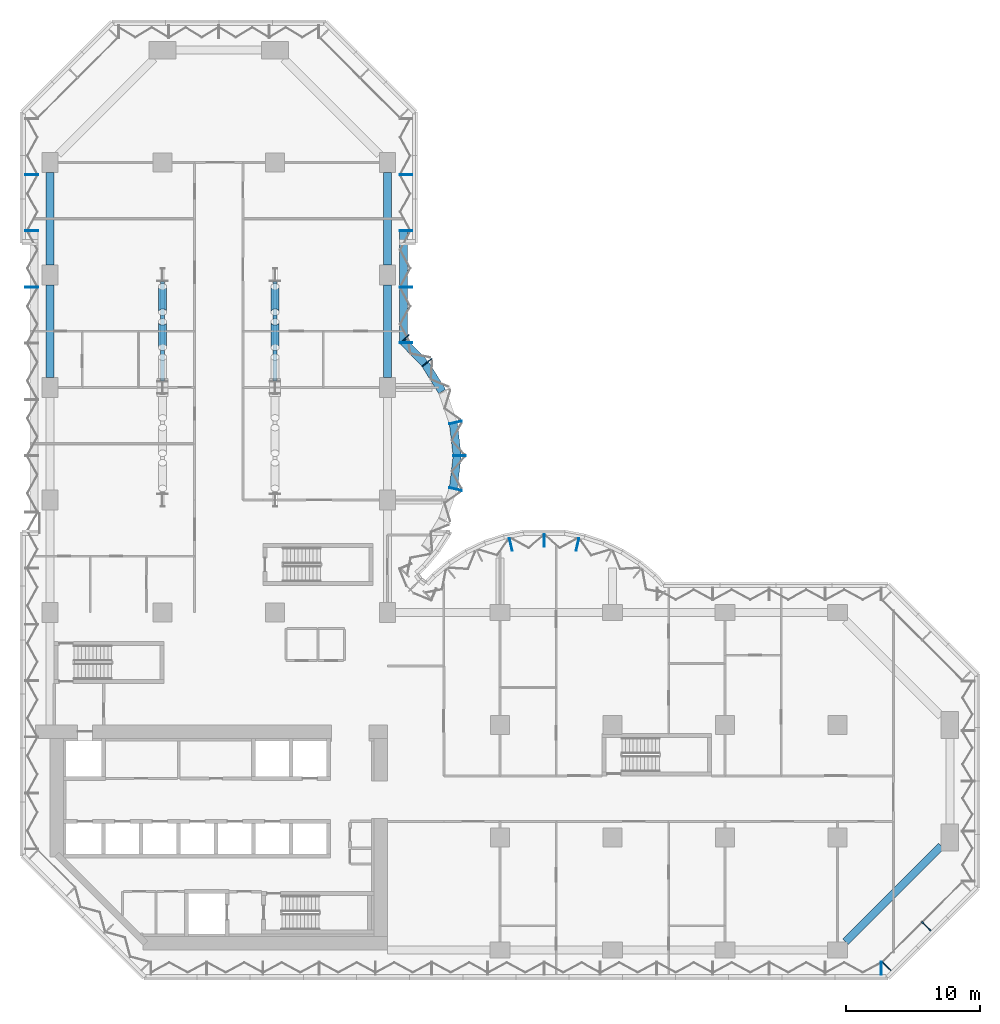
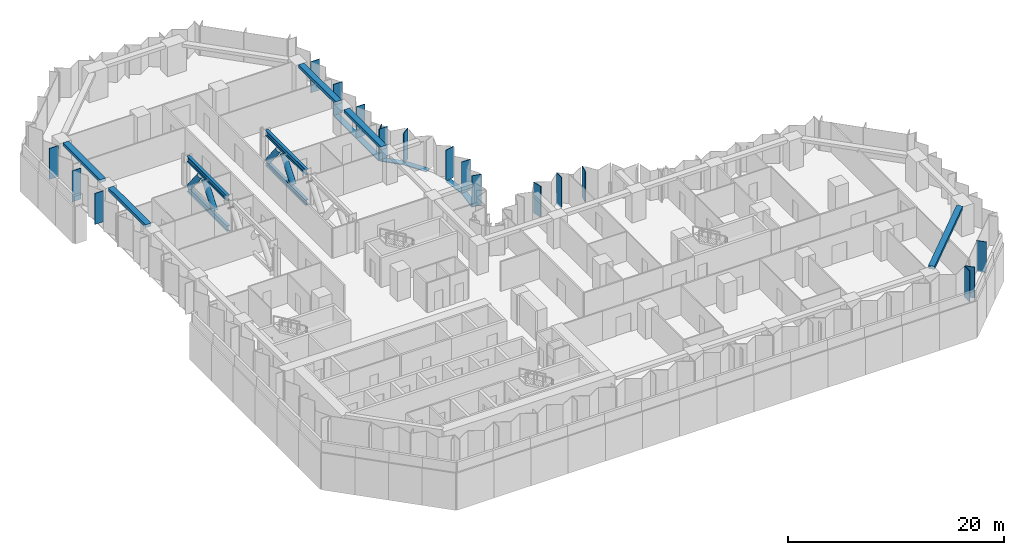
# One storey, part 4 of 24: 31 members, 5 beams, 6 elements without a shape of their own.
"""IFC4 building model written with IfcOpenShell, lengths in metres."""

from ifc_helpers import new_model, si_unit, direction, frame, origin, origin_2d, place, context, subcontext, project, spatial, rectangle, hollow_circle, i_section, extrude, material, material_profile, profile_set, type_object, element, aggregate, save


model = new_model("IFC4")

# Units and contexts
model_context = context("Model", 3, precision=1e-05, world=origin(), true_north=direction((0.0, 1.0)))
body_context = subcontext(model_context, "Body", "Model", "MODEL_VIEW")
ifc_project = project(units=[si_unit("LENGTHUNIT", "METRE"), si_unit("AREAUNIT", "SQUARE_METRE"), si_unit("VOLUMEUNIT", "CUBIC_METRE"), si_unit("PLANEANGLEUNIT", "RADIAN"), si_unit("MASSUNIT", "GRAM", prefix="KILO")], contexts=[model_context])

# Site, building, storey
site_placement = place(None, origin())
site = spatial("IfcSite", under=ifc_project, at=site_placement, CompositionType="ELEMENT")
building_placement = place(site_placement, origin())
building = spatial("IfcBuilding", under=site, at=building_placement, Name="Brevane Broadcast Tower", CompositionType="ELEMENT")
storey_placement = place(building_placement, frame((0.0, 0.0, 36.5)))
storey = spatial("IfcBuildingStorey", under=building, at=storey_placement, Name="L06", CompositionType="ELEMENT", Elevation=36.5)

# Curtain wall, member
ifc_material_1 = material(Name="Aluminium 6063-T6 bronze anodised", Category="aluminium")
curtain_wall_type = type_object("IfcCurtainWallType", Name="CW-1 curtain wall", PredefinedType="NOTDEFINED", material=ifc_material_1)
curtain_wall_1_placement = place(storey_placement, origin())
curtain_wall_1 = element("IfcCurtainWall", 1, at=curtain_wall_1_placement, inside=storey, type_object=curtain_wall_type, Name="CW-1 typical tilted unit L06 south face", PredefinedType="NOTDEFINED")
ifc_material_profile_1 = material_profile(ifc_material_1, rectangle(XDim=0.949951171875, YDim=0.070068359375, at=origin_2d()), Name="RECT 70x950")
ifc_profile_set_1 = profile_set([ifc_material_profile_1], Name="Aluminium 6063-T6 bronze anodised")
member_type_1 = type_object("IfcMemberType", Name="CW-1 mullion 70x950", PredefinedType="MULLION", material=ifc_profile_set_1)
member_1_placement = place(storey_placement, frame((62.06494140625, -1.375, -0.14990234375), z_axis=(0.0, 0.0, 1.0), x_axis=(0.0, 1.0, 0.0)))
member_1 = element("IfcMember", 2, at=member_1_placement, type_object=member_type_1, Name="CW-1 mullion", PredefinedType="MULLION", context=body_context, shape_type="SweptSolid", body=[
    extrude(rectangle(XDim=0.949951171875, YDim=0.070068359375, at=origin_2d()), origin(), (0.0, 0.0, 1.0), 3.5),
])
aggregate(curtain_wall_1, [member_1])

# Curtain wall, members
curtain_wall_2_placement = place(storey_placement, origin())
curtain_wall_2 = element("IfcCurtainWall", 3, at=curtain_wall_2_placement, inside=storey, type_object=curtain_wall_type, Name="CW-1 typical tilted unit L06 south-east chamfer", PredefinedType="NOTDEFINED")
member_2_placement = place(storey_placement, frame((62.460693359375, -1.211181640625, -0.14990234375), z_axis=(0.0, 0.0, 1.0), x_axis=(-0.707106781187, 0.707106781187, 0.0)))
member_2 = element("IfcMember", 4, at=member_2_placement, type_object=member_type_1, Name="CW-1 mullion", PredefinedType="MULLION", context=body_context, shape_type="SweptSolid", body=[
    extrude(rectangle(XDim=0.949951171875, YDim=0.070068359375, at=origin_2d()), origin(), (0.0, 0.0, 1.0), 3.5),
])
member_3_placement = place(storey_placement, frame((65.435791015625, 1.76416015625, -0.14990234375), z_axis=(0.0, 0.0, 1.0), x_axis=(-0.707106781187, 0.707106781187, 0.0)))
member_3 = element("IfcMember", 5, at=member_3_placement, type_object=member_type_1, Name="CW-1 mullion", PredefinedType="MULLION", context=body_context, shape_type="SweptSolid", body=[
    extrude(rectangle(XDim=0.949951171875, YDim=0.070068359375, at=origin_2d()), origin(), (0.0, 0.0, 1.0), 3.5),
])
aggregate(curtain_wall_2, [member_2, member_3])

curtain_wall_3_placement = place(storey_placement, origin())
curtain_wall_3 = element("IfcCurtainWall", 6, at=curtain_wall_3_placement, inside=storey, type_object=curtain_wall_type, Name="CW-1 typical tilted unit L06 east bow", PredefinedType="NOTDEFINED")
member_4_placement = place(storey_placement, frame((39.38818359375, 30.28076171875, -0.14990234375), z_axis=(0.0, 0.0, 1.0), x_axis=(-0.224806482215, -0.974403430594, 0.0)))
member_4 = element("IfcMember", 7, at=member_4_placement, type_object=member_type_1, Name="CW-1 mullion", PredefinedType="MULLION", context=body_context, shape_type="SweptSolid", body=[
    extrude(rectangle(XDim=0.949951171875, YDim=0.070068359375, at=origin_2d()), origin(), (0.0, 0.0, 1.0), 3.5),
])
member_5_placement = place(storey_placement, frame((36.89990234375, 30.574951171875, -0.14990234375), z_axis=(0.0, 0.0, 1.0), x_axis=(0.0, -1.0, 0.0)))
member_5 = element("IfcMember", 8, at=member_5_placement, type_object=member_type_1, Name="CW-1 mullion", PredefinedType="MULLION", context=body_context, shape_type="SweptSolid", body=[
    extrude(rectangle(XDim=0.949951171875, YDim=0.070068359375, at=origin_2d()), origin(), (0.0, 0.0, 1.0), 3.5),
])
member_6_placement = place(storey_placement, frame((34.411865234375, 30.28076171875, -0.14990234375), z_axis=(0.0, 0.0, 1.0), x_axis=(0.224806482215, -0.974403430594, 0.0)))
member_6 = element("IfcMember", 9, at=member_6_placement, type_object=member_type_1, Name="CW-1 mullion", PredefinedType="MULLION", context=body_context, shape_type="SweptSolid", body=[
    extrude(rectangle(XDim=0.949951171875, YDim=0.070068359375, at=origin_2d()), origin(), (0.0, 0.0, 1.0), 3.5),
])
aggregate(curtain_wall_3, [member_4, member_5, member_6])

curtain_wall_4_placement = place(storey_placement, origin())
curtain_wall_4 = element("IfcCurtainWall", 10, at=curtain_wall_4_placement, inside=storey, type_object=curtain_wall_type, Name="CW-1 typical tilted unit L06 north bow", PredefinedType="NOTDEFINED")
member_7_placement = place(storey_placement, frame((30.28076171875, 34.411865234375, -0.14990234375), z_axis=(0.0, 0.0, 1.0), x_axis=(-0.974403430594, 0.224806482215, 0.0)))
member_7 = element("IfcMember", 11, at=member_7_placement, type_object=member_type_1, Name="CW-1 mullion", PredefinedType="MULLION", context=body_context, shape_type="SweptSolid", body=[
    extrude(rectangle(XDim=0.949951171875, YDim=0.070068359375, at=origin_2d()), origin(), (0.0, 0.0, 1.0), 3.5),
])
member_8_placement = place(storey_placement, frame((30.574951171875, 36.89990234375, -0.14990234375), z_axis=(0.0, 0.0, 1.0), x_axis=(-1.0, 0.0, 0.0)))
member_8 = element("IfcMember", 12, at=member_8_placement, type_object=member_type_1, Name="CW-1 mullion", PredefinedType="MULLION", context=body_context, shape_type="SweptSolid", body=[
    extrude(rectangle(XDim=0.949951171875, YDim=0.070068359375, at=origin_2d()), origin(), (0.0, 0.0, 1.0), 3.5),
])
member_9_placement = place(storey_placement, frame((30.28076171875, 39.38818359375, -0.14990234375), z_axis=(0.0, 0.0, 1.0), x_axis=(-0.974403430594, -0.224806482215, 0.0)))
member_9 = element("IfcMember", 13, at=member_9_placement, type_object=member_type_1, Name="CW-1 mullion", PredefinedType="MULLION", context=body_context, shape_type="SweptSolid", body=[
    extrude(rectangle(XDim=0.949951171875, YDim=0.070068359375, at=origin_2d()), origin(), (0.0, 0.0, 1.0), 3.5),
])
member_10_placement = place(storey_placement, frame((28.1455078125, 43.8720703125, -0.14990234375), z_axis=(0.0, 0.0, 1.0), x_axis=(-0.788706642853, -0.614769738617, 0.0)))
member_10 = element("IfcMember", 14, at=member_10_placement, type_object=member_type_1, Name="CW-1 mullion", PredefinedType="MULLION", context=body_context, shape_type="SweptSolid", body=[
    extrude(rectangle(XDim=0.949951171875, YDim=0.070068359375, at=origin_2d()), origin(), (0.0, 0.0, 1.0), 3.5),
])
member_11_placement = place(storey_placement, frame((26.465087890625, 45.60595703125, -0.14990234375), z_axis=(0.0, 0.0, 1.0), x_axis=(-0.717253872699, -0.696811941702, 0.0)))
member_11 = element("IfcMember", 15, at=member_11_placement, type_object=member_type_1, Name="CW-1 mullion", PredefinedType="MULLION", context=body_context, shape_type="SweptSolid", body=[
    extrude(rectangle(XDim=0.949951171875, YDim=0.070068359375, at=origin_2d()), origin(), (0.0, 0.0, 1.0), 3.5),
])

curtain_wall_5_placement = place(storey_placement, origin())
curtain_wall_5 = element("IfcCurtainWall", 16, at=curtain_wall_5_placement, inside=storey, type_object=curtain_wall_type, Name="CW-1 typical tilted unit L06 north arm east face", PredefinedType="NOTDEFINED")
member_12_placement = place(storey_placement, frame((26.574951171875, 45.3349609375, -0.14990234375), z_axis=(0.0, 0.0, 1.0), x_axis=(-1.0, 0.0, 0.0)))
member_12 = element("IfcMember", 17, at=member_12_placement, type_object=member_type_1, Name="CW-1 mullion", PredefinedType="MULLION", context=body_context, shape_type="SweptSolid", body=[
    extrude(rectangle(XDim=0.949951171875, YDim=0.070068359375, at=origin_2d()), origin(), (0.0, 0.0, 1.0), 3.5),
])
member_13_placement = place(storey_placement, frame((26.574951171875, 49.5, -0.14990234375), z_axis=(0.0, 0.0, 1.0), x_axis=(-1.0, 0.0, 0.0)))
member_13 = element("IfcMember", 18, at=member_13_placement, type_object=member_type_1, Name="CW-1 mullion", PredefinedType="MULLION", context=body_context, shape_type="SweptSolid", body=[
    extrude(rectangle(XDim=0.949951171875, YDim=0.070068359375, at=origin_2d()), origin(), (0.0, 0.0, 1.0), 3.5),
])
member_14_placement = place(storey_placement, frame((26.574951171875, 53.699951171875, -0.14990234375), z_axis=(0.0, 0.0, 1.0), x_axis=(-1.0, 0.0, 0.0)))
member_14 = element("IfcMember", 19, at=member_14_placement, type_object=member_type_1, Name="CW-1 mullion", PredefinedType="MULLION", context=body_context, shape_type="SweptSolid", body=[
    extrude(rectangle(XDim=0.949951171875, YDim=0.070068359375, at=origin_2d()), origin(), (0.0, 0.0, 1.0), 3.5),
])
member_15_placement = place(storey_placement, frame((26.574951171875, 57.89990234375, -0.14990234375), z_axis=(0.0, 0.0, 1.0), x_axis=(-1.0, 0.0, 0.0)))
member_15 = element("IfcMember", 20, at=member_15_placement, type_object=member_type_1, Name="CW-1 mullion", PredefinedType="MULLION", context=body_context, shape_type="SweptSolid", body=[
    extrude(rectangle(XDim=0.949951171875, YDim=0.070068359375, at=origin_2d()), origin(), (0.0, 0.0, 1.0), 3.5),
])

curtain_wall_6_placement = place(storey_placement, origin())
curtain_wall_6 = element("IfcCurtainWall", 21, at=curtain_wall_6_placement, inside=storey, type_object=curtain_wall_type, Name="CW-1 typical tilted unit L06 west face", PredefinedType="NOTDEFINED")
member_16_placement = place(storey_placement, frame((-1.375, 57.89990234375, -0.14990234375), z_axis=(0.0, 0.0, 1.0), x_axis=(1.0, 0.0, 0.0)))
member_16 = element("IfcMember", 22, at=member_16_placement, type_object=member_type_1, Name="CW-1 mullion", PredefinedType="MULLION", context=body_context, shape_type="SweptSolid", body=[
    extrude(rectangle(XDim=0.949951171875, YDim=0.070068359375, at=origin_2d()), origin(), (0.0, 0.0, 1.0), 3.5),
])
member_17_placement = place(storey_placement, frame((-1.375, 53.699951171875, -0.14990234375), z_axis=(0.0, 0.0, 1.0), x_axis=(1.0, 0.0, 0.0)))
member_17 = element("IfcMember", 23, at=member_17_placement, type_object=member_type_1, Name="CW-1 mullion", PredefinedType="MULLION", context=body_context, shape_type="SweptSolid", body=[
    extrude(rectangle(XDim=0.949951171875, YDim=0.070068359375, at=origin_2d()), origin(), (0.0, 0.0, 1.0), 3.5),
])
member_18_placement = place(storey_placement, frame((-1.375, 49.5, -0.14990234375), z_axis=(0.0, 0.0, 1.0), x_axis=(1.0, 0.0, 0.0)))
member_18 = element("IfcMember", 24, at=member_18_placement, type_object=member_type_1, Name="CW-1 mullion", PredefinedType="MULLION", context=body_context, shape_type="SweptSolid", body=[
    extrude(rectangle(XDim=0.949951171875, YDim=0.070068359375, at=origin_2d()), origin(), (0.0, 0.0, 1.0), 3.5),
])
aggregate(curtain_wall_6, [member_16, member_17, member_18])

# Member
ifc_material_profile_2 = material_profile(ifc_material_1, rectangle(XDim=0.60009765625, YDim=0.10009765625, at=origin_2d()), Name="RECT 100x600")
ifc_profile_set_2 = profile_set([ifc_material_profile_2], Name="Aluminium 6063-T6 bronze anodised")
member_type_2 = type_object("IfcMemberType", Name="CW-1 transom 100x600", PredefinedType="USERDEFINED", material=ifc_profile_set_2)
member_19_placement = place(storey_placement, frame((30.117431640625, 34.499755859375, -0.199951171875), z_axis=(0.117603307202, 0.993060653805, 0.0), x_axis=(-0.993060653805, 0.117603307202, 0.0)))
member_19 = element("IfcMember", 25, at=member_19_placement, type_object=member_type_2, Name="CW-1 transom", ObjectType="TRANSOM", PredefinedType="USERDEFINED", context=body_context, shape_type="SweptSolid", body=[
    extrude(rectangle(XDim=0.60009765625, YDim=0.10009765625, at=origin_2d()), origin(), (0.0, 0.0, 1.0), 2.397705078125),
])

member_20_placement = place(storey_placement, frame((30.3994140625, 36.9189453125, -0.199951171875), z_axis=(-0.117591417, 0.993062061831, 0.0), x_axis=(-0.993062061831, -0.117591417, 0.0)))
member_20 = element("IfcMember", 26, at=member_20_placement, type_object=member_type_2, Name="CW-1 transom", ObjectType="TRANSOM", PredefinedType="USERDEFINED", context=body_context, shape_type="SweptSolid", body=[
    extrude(rectangle(XDim=0.60009765625, YDim=0.10009765625, at=origin_2d()), origin(), (0.0, 0.0, 1.0), 2.39794921875),
])

member_21_placement = place(storey_placement, frame((29.281494140625, 41.704833984375, -0.199951171875), z_axis=(-0.525473345162, 0.850810063131, 0.0), x_axis=(-0.850810063131, -0.525473345162, 0.0)))
member_21 = element("IfcMember", 27, at=member_21_placement, type_object=member_type_2, Name="CW-1 transom", ObjectType="TRANSOM", PredefinedType="USERDEFINED", context=body_context, shape_type="SweptSolid", body=[
    extrude(rectangle(XDim=0.60009765625, YDim=0.10009765625, at=origin_2d()), origin(), (0.0, 0.0, 1.0), 2.39453125),
])

member_22_placement = place(storey_placement, frame((27.974365234375, 43.800537109375, -0.199951171875), z_axis=(-0.696823999134, 0.71724215871, 0.0), x_axis=(-0.71724215871, -0.696823999134, 0.0)))
member_22 = element("IfcMember", 28, at=member_22_placement, type_object=member_type_2, Name="CW-1 transom", ObjectType="TRANSOM", PredefinedType="USERDEFINED", context=body_context, shape_type="SweptSolid", body=[
    extrude(rectangle(XDim=0.60009765625, YDim=0.10009765625, at=origin_2d()), origin(), (0.0, 0.0, 1.0), 2.247802734375),
])

aggregate(curtain_wall_4, [member_7, member_8, member_9, member_10, member_11, member_19, member_20, member_21, member_22])

member_23_placement = place(storey_placement, frame((26.39990234375, 45.300048828125, -0.199951171875), z_axis=(0.0, 1.0, 0.0), x_axis=(-1.0, 0.0, 0.0)))
member_23 = element("IfcMember", 29, at=member_23_placement, type_object=member_type_2, Name="CW-1 transom", ObjectType="TRANSOM", PredefinedType="USERDEFINED", context=body_context, shape_type="SweptSolid", body=[
    extrude(rectangle(XDim=0.60009765625, YDim=0.10009765625, at=origin_2d()), origin(), (0.0, 0.0, 1.0), 8.39990234375),
])

aggregate(curtain_wall_5, [member_12, member_13, member_14, member_15, member_23])

# Beams
ifc_material_2 = material(Name="Concrete C40/50", Category="concrete")
ifc_material_profile_3 = material_profile(ifc_material_2, rectangle(XDim=0.60009765625, YDim=0.35009765625, at=origin_2d()), Name="RC 600x350")
ifc_profile_set_3 = profile_set([ifc_material_profile_3], Name="Concrete C40/50")
beam_type = type_object("IfcBeamType", Name="RC SPANDREL BEAM 600x350 C40/50", PredefinedType="SPANDREL", material=ifc_profile_set_3)
beam_1_placement = place(storey_placement, frame((59.39990234375, 0.60009765625, 3.175048828125), z_axis=(0.707118853314, 0.707094708853, 0.0), x_axis=(-0.707094708853, 0.707118853314, 0.0)))
element("IfcBeam", 30, at=beam_1_placement, inside=storey, type_object=beam_type, Name="EB1 L06-5", PredefinedType="SPANDREL", context=body_context, shape_type="SweptSolid", body=[
    extrude(rectangle(XDim=0.60009765625, YDim=0.35009765625, at=origin_2d()), origin(), (0.0, 0.0, 1.0), 10.111572265625),
])
beam_2_placement = place(storey_placement, frame((25.199951171875, 42.75, 3.175048828125), z_axis=(0.0, 1.0, 0.0), x_axis=(-1.0, 0.0, 0.0)))
element("IfcBeam", 31, at=beam_2_placement, inside=storey, type_object=beam_type, Name="EB1 L06-14", PredefinedType="SPANDREL", context=body_context, shape_type="SweptSolid", body=[
    extrude(rectangle(XDim=0.60009765625, YDim=0.35009765625, at=origin_2d()), origin(), (0.0, 0.0, 1.0), 6.89990234375),
])
for number, where, z_axis, x_axis, name in (
    (32, (25.199951171875, 51.14990234375, 3.175048828125), (0.0, 1.0, 0.0), (-1.0, 0.0, 0.0), "EB1 L06-15"),
    (33, (0.0, 58.050048828125, 3.175048828125), (0.0, -1.0, 0.0), (1.0, 0.0, 0.0), "EB1 L06-19"),
):
    element("IfcBeam", number, at=place(storey_placement, frame(where, z_axis=z_axis, x_axis=x_axis)), inside=storey, type_object=beam_type, Name=name, PredefinedType="SPANDREL", context=body_context, shape_type="SweptSolid", body=[
        extrude(rectangle(XDim=0.60009765625, YDim=0.35009765625, at=origin_2d()), origin(), (0.0, 0.0, 1.0), 6.900146484375),
    ])
beam_3_placement = place(storey_placement, frame((0.0, 49.64990234375, 3.175048828125), z_axis=(0.0, -1.0, 0.0), x_axis=(1.0, 0.0, 0.0)))
element("IfcBeam", 34, at=beam_3_placement, inside=storey, type_object=beam_type, Name="EB1 L06-20", PredefinedType="SPANDREL", context=body_context, shape_type="SweptSolid", body=[
    extrude(rectangle(XDim=0.60009765625, YDim=0.35009765625, at=origin_2d()), origin(), (0.0, 0.0, 1.0), 6.89990234375),
])

# Members
ifc_material_3 = material(Name="Steel S355", Category="steel")
ifc_material_profile_4 = material_profile(ifc_material_3, i_section(OverallWidth=0.304931640625, OverallDepth=0.6201171875, WebThickness=0.02099609375, FlangeThickness=0.0400390625, FilletRadius=0.027099609375, at=origin_2d()), Name="HE 600 M")
ifc_profile_set_4 = profile_set([ifc_material_profile_4], Name="Steel S355")
member_type_3 = type_object("IfcMemberType", Name="STEEL TRUSS CHORD HE 600 M S355", PredefinedType="CHORD", material=ifc_profile_set_4)
for number, where, z_axis, x_axis, name in (
    (35, (8.39990234375, 42.47412109375, 0.06005859375), (0.0, 1.0, 0.0), (-1.0, 0.0, 0.0), "TC1 1B2"),
    (36, (8.39990234375, 42.47412109375, 3.47509765625), (0.0, 1.0, 0.0), (-1.0, 0.0, 0.0), "TC1 1M2"),
    (37, (16.800048828125, 42.47412109375, 0.06005859375), (0.0, 1.0, 0.0), (-1.0, 0.0, 0.0), "TC1 2B2"),
    (38, (16.800048828125, 42.47412109375, 3.47509765625), (0.0, 1.0, 0.0), (-1.0, 0.0, 0.0), "TC1 2M2"),
):
    element("IfcMember", number, at=place(storey_placement, frame(where, z_axis=z_axis, x_axis=x_axis)), inside=storey, type_object=member_type_3, Name=name, PredefinedType="CHORD", context=body_context, shape_type="SweptSolid", body=[
        extrude(i_section(OverallWidth=0.304931640625, OverallDepth=0.6201171875, WebThickness=0.02099609375, FlangeThickness=0.0400390625, FilletRadius=0.027099609375, at=origin_2d()), origin(), (0.0, 0.0, 1.0), 7.451904296875),
    ])
ifc_material_profile_5 = material_profile(ifc_material_3, hollow_circle(Radius=0.304931640625, WallThickness=0.01611328125, at=origin_2d()), Name="CHS 610x16")
ifc_profile_set_5 = profile_set([ifc_material_profile_5], Name="Steel S355")
member_type_4 = type_object("IfcMemberType", Name="STEEL TRUSS DIAGONAL CHS 610x16 S355", PredefinedType="BRACE", material=ifc_profile_set_5)
for number, where, z_axis, x_axis, name in (
    (39, (8.39990234375, 44.99755859375, 0.550537109375), (0.0, 0.615532043381, 0.788111859808), (-1.0, 0.0, 0.0), "TD1 1-1-5"),
    (40, (8.39990234375, 49.530517578125, 0.550537109375), (0.0, -0.615532043381, 0.788111859808), (1.0, 0.0, 0.0), "TD1 1-1-6"),
    (41, (16.800048828125, 44.99755859375, 0.550537109375), (0.0, 0.615532043381, 0.788111859808), (-1.0, 0.0, 0.0), "TD1 2-1-5"),
    (42, (16.800048828125, 49.530517578125, 0.550537109375), (0.0, -0.615532043381, 0.788111859808), (1.0, 0.0, 0.0), "TD1 2-1-6"),
):
    element("IfcMember", number, at=place(storey_placement, frame(where, z_axis=z_axis, x_axis=x_axis)), inside=storey, type_object=member_type_4, Name=name, PredefinedType="BRACE", context=body_context, shape_type="SweptSolid", body=[
        extrude(hollow_circle(Radius=0.304931640625, WallThickness=0.01611328125, at=origin_2d()), origin(), (0.0, 0.0, 1.0), 3.088134765625),
    ])

save(model, "model.ifc")
